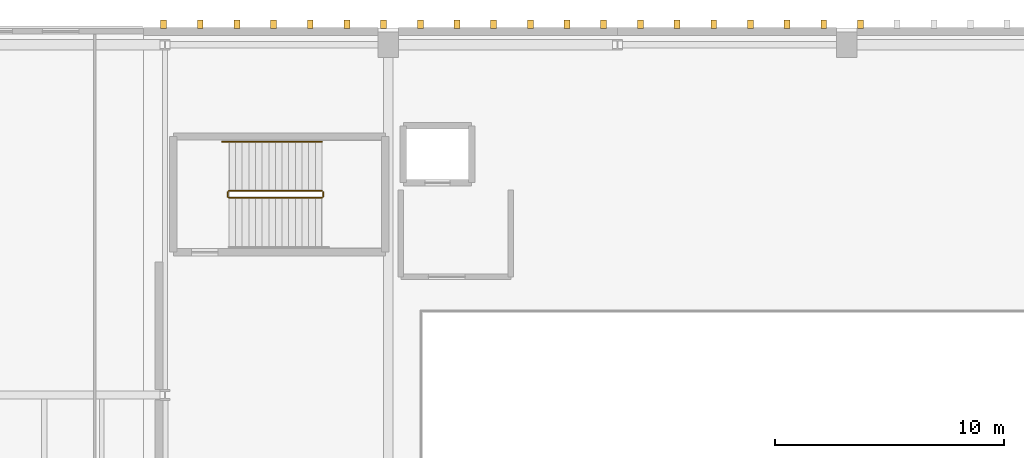
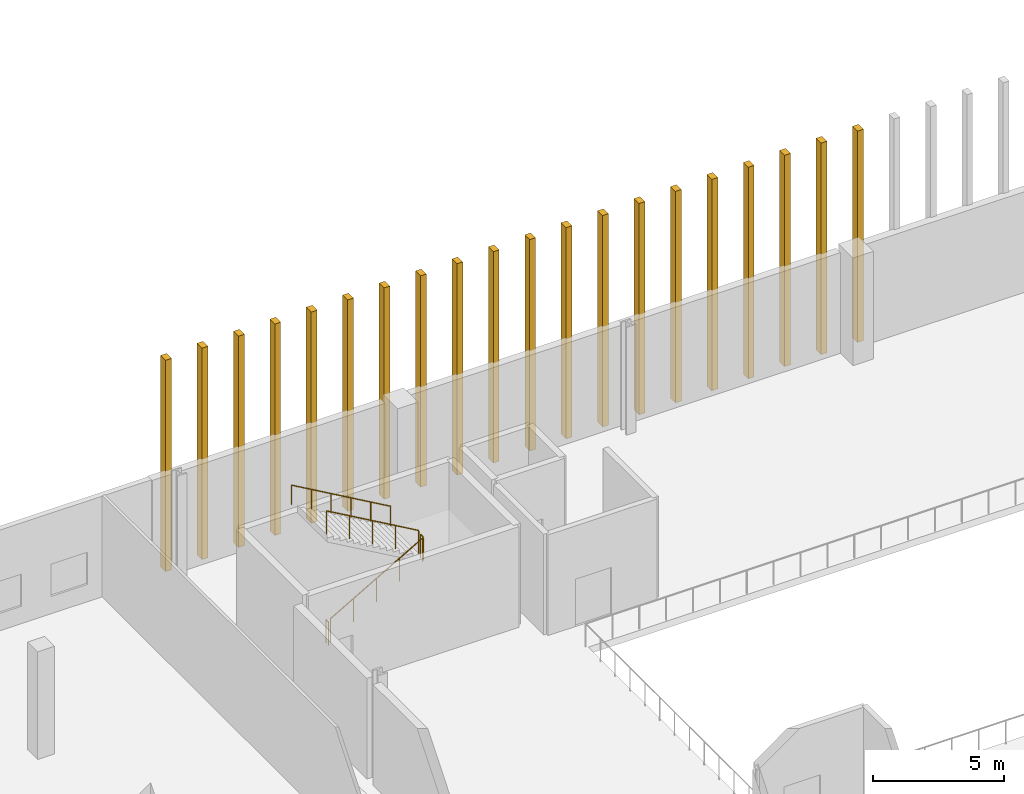
# One storey, part 57 of 60: 20 coverings, 5 railings.
"""IFC4 building model written with IfcOpenShell, lengths in metres."""

from ifc_helpers import new_model, si_unit, direction, frame, origin, origin_2d, place, context, subcontext, project, spatial, rectangle, circle, extrude, material, layer, layer_set, type_object, element, save


model = new_model("IFC4")

# Units and contexts
model_context = context("Model", 3, precision=1e-05, world=origin(), true_north=direction((0.0, 1.0)))
body_context = subcontext(model_context, "Body", "Model", "MODEL_VIEW")
ifc_project = project(units=[si_unit("LENGTHUNIT", "METRE"), si_unit("AREAUNIT", "SQUARE_METRE"), si_unit("VOLUMEUNIT", "CUBIC_METRE"), si_unit("PLANEANGLEUNIT", "RADIAN"), si_unit("MASSUNIT", "GRAM", prefix="KILO")], contexts=[model_context])

# Site, building, storey
site_placement = place(None, origin())
site = spatial("IfcSite", under=ifc_project, at=site_placement, CompositionType="ELEMENT")
building_placement = place(site_placement, origin())
building = spatial("IfcBuilding", under=site, at=building_placement, Name="Trimount Lyric Opera House", CompositionType="ELEMENT")
storey_placement = place(building_placement, frame((0.0, 0.0, 15.0)))
storey = spatial("IfcBuildingStorey", under=building, at=storey_placement, Name="L03", CompositionType="ELEMENT", Elevation=15.0)

# Coverings
ifc_material_1 = material(Name="Extruded Brushed Aluminium Vertical Shed Rib", Category="aluminium")
ifc_layer = layer(ifc_material_1, 0.260009765625)
ifc_layer_set = layer_set([ifc_layer], Name="CLD-RIB1")
covering_type = type_object("IfcCoveringType", Name="CLD-RIB1", PredefinedType="CLADDING", material=ifc_layer_set)
for number, where, z_axis, x_axis, name in (
    (1, (64.199951171875, 118.1650390625, 0.0), (0.0, 0.0, 1.0), (1.0, 0.0, 0.0), "Fly-tower north vertical cladding rib 124"),
    (2, (65.800048828125, 118.1650390625, 0.0), (0.0, 0.0, 1.0), (1.0, 0.0, 0.0), "Fly-tower north vertical cladding rib 129"),
    (3, (67.39990234375, 118.1650390625, 0.0), (0.0, 0.0, 1.0), (1.0, 0.0, 0.0), "Fly-tower north vertical cladding rib 134"),
    (4, (69.0, 118.1650390625, 0.0), (0.0, 0.0, 1.0), (1.0, 0.0, 0.0), "Fly-tower north vertical cladding rib 139"),
    (5, (70.60009765625, 118.1650390625, 0.0), (0.0, 0.0, 1.0), (1.0, 0.0, 0.0), "Fly-tower north vertical cladding rib 144"),
    (6, (72.199951171875, 118.1650390625, 0.0), (0.0, 0.0, 1.0), (1.0, 0.0, 0.0), "Fly-tower north vertical cladding rib 149"),
    (7, (73.800048828125, 118.1650390625, 0.0), (0.0, 0.0, 1.0), (1.0, 0.0, 0.0), "Fly-tower north vertical cladding rib 154"),
    (8, (75.39990234375, 118.1650390625, 0.0), (0.0, 0.0, 1.0), (1.0, 0.0, 0.0), "Fly-tower north vertical cladding rib 159"),
    (9, (77.0, 118.1650390625, 0.0), (0.0, 0.0, 1.0), (1.0, 0.0, 0.0), "Fly-tower north vertical cladding rib 164"),
    (10, (78.60009765625, 118.1650390625, 0.0), (0.0, 0.0, 1.0), (1.0, 0.0, 0.0), "Fly-tower north vertical cladding rib 169"),
    (11, (80.199951171875, 118.1650390625, 0.0), (0.0, 0.0, 1.0), (1.0, 0.0, 0.0), "Fly-tower north vertical cladding rib 174"),
    (12, (81.800048828125, 118.1650390625, 0.0), (0.0, 0.0, 1.0), (1.0, 0.0, 0.0), "Fly-tower north vertical cladding rib 179"),
    (13, (83.39990234375, 118.1650390625, 0.0), (0.0, 0.0, 1.0), (1.0, 0.0, 0.0), "Fly-tower north vertical cladding rib 184"),
    (14, (85.0, 118.1650390625, 0.0), (0.0, 0.0, 1.0), (1.0, 0.0, 0.0), "Fly-tower north vertical cladding rib 189"),
    (15, (86.60009765625, 118.1650390625, 0.0), (0.0, 0.0, 1.0), (1.0, 0.0, 0.0), "Fly-tower north vertical cladding rib 194"),
    (16, (88.199951171875, 118.1650390625, 0.0), (0.0, 0.0, 1.0), (1.0, 0.0, 0.0), "Fly-tower north vertical cladding rib 199"),
    (17, (89.800048828125, 118.1650390625, 0.0), (0.0, 0.0, 1.0), (1.0, 0.0, 0.0), "Fly-tower north vertical cladding rib 204"),
    (18, (91.39990234375, 118.1650390625, 0.0), (0.0, 0.0, 1.0), (1.0, 0.0, 0.0), "Fly-tower north vertical cladding rib 209"),
    (19, (93.0, 118.1650390625, 0.0), (0.0, 0.0, 1.0), (1.0, 0.0, 0.0), "Fly-tower north vertical cladding rib 214"),
    (20, (94.60009765625, 118.1650390625, 0.0), (0.0, 0.0, 1.0), (1.0, 0.0, 0.0), "Fly-tower north vertical cladding rib 219"),
):
    element("IfcCovering", number, at=place(storey_placement, frame(where, z_axis=z_axis, x_axis=x_axis)), inside=storey, type_object=covering_type, Name=name, PredefinedType="CLADDING", context=body_context, shape_type="SweptSolid", body=[
        extrude(rectangle(XDim=0.260009765625, YDim=0.3798828125, at=origin_2d()), origin(), (0.0, 0.0, 1.0), 9.820068359375),
    ])

# Railings
ifc_material_2 = material(Name="Brushed Stainless Steel 316", Category="steel")
railing_type_1 = type_object("IfcRailingType", Name="RL-GRD110", PredefinedType="GUARDRAIL", material=ifc_material_2)
railing_1_placement = place(storey_placement, frame((67.050048828125, 110.60009765625, 0.166748046875)))
element("IfcRailing", 21, at=railing_1_placement, inside=storey, type_object=railing_type_1, Name="L03 ST-01 stair guard 1", PredefinedType="GUARDRAIL", context=body_context, shape_type="SweptSolid", body=[
    extrude(circle(Radius=0.02392578125, at=origin_2d()), frame((0.0, 0.0, 1.076171875), z_axis=(0.867024558463, 0.0, 0.498265406207), x_axis=(0.0, 1.0, 0.0)), (0.0, 0.0, 1.0), 4.682861328125),
    extrude(circle(Radius=0.02099609375, at=origin_2d()), origin(), (0.0, 0.0, 1.0), 1.052001953125),
    extrude(circle(Radius=0.02099609375, at=origin_2d()), frame((1.01513671875, 0.0, 0.583251953125)), (0.0, 0.0, 1.0), 1.052001953125),
    extrude(circle(Radius=0.02099609375, at=origin_2d()), frame((2.030029296875, 0.0, 1.16650390625)), (0.0, 0.0, 1.0), 1.052001953125),
    extrude(circle(Radius=0.02099609375, at=origin_2d()), frame((3.044921875, 0.0, 1.75)), (0.0, 0.0, 1.0), 1.052001953125),
    extrude(circle(Radius=0.02099609375, at=origin_2d()), frame((4.06005859375, 0.0, 2.333251953125)), (0.0, 0.0, 1.0), 1.052001953125),
])
railing_2_placement = place(storey_placement, frame((71.159912109375, 110.64990234375, 2.5)))
element("IfcRailing", 22, at=railing_2_placement, inside=storey, type_object=railing_type_1, Name="L03 ST-01 stair guard 2", PredefinedType="GUARDRAIL", context=body_context, shape_type="SweptSolid", body=[
    extrude(circle(Radius=0.02392578125, at=origin_2d()), frame((0.0, 0.0, 1.076171875), z_axis=(0.0, 1.0, 0.0), x_axis=(-1.0, 0.0, 0.0)), (0.0, 0.0, 1.0), 0.2001953125),
    extrude(circle(Radius=0.02099609375, at=origin_2d()), origin(), (0.0, 0.0, 1.0), 1.052001953125),
    extrude(circle(Radius=0.02099609375, at=origin_2d()), frame((0.0, 0.2001953125, 0.0)), (0.0, 0.0, 1.0), 1.052001953125),
])
railing_3_placement = place(storey_placement, frame((71.110107421875, 110.89990234375, 2.666748046875)))
element("IfcRailing", 23, at=railing_3_placement, inside=storey, type_object=railing_type_1, Name="L03 ST-01 stair guard 3", PredefinedType="GUARDRAIL", context=body_context, shape_type="SweptSolid", body=[
    extrude(circle(Radius=0.02392578125, at=origin_2d()), frame((0.0, 0.0, 1.076171875), z_axis=(-0.867024558463, 0.0, 0.498265406207), x_axis=(0.0, -1.0, 0.0)), (0.0, 0.0, 1.0), 4.682861328125),
    extrude(circle(Radius=0.02099609375, at=origin_2d()), origin(), (0.0, 0.0, 1.0), 1.052001953125),
    extrude(circle(Radius=0.02099609375, at=origin_2d()), frame((-1.01513671875, 0.0, 0.583251953125)), (0.0, 0.0, 1.0), 1.052001953125),
    extrude(circle(Radius=0.02099609375, at=origin_2d()), frame((-2.030029296875, 0.0, 1.16650390625)), (0.0, 0.0, 1.0), 1.052001953125),
    extrude(circle(Radius=0.02099609375, at=origin_2d()), frame((-3.044921875, 0.0, 1.75)), (0.0, 0.0, 1.0), 1.052001953125),
    extrude(circle(Radius=0.02099609375, at=origin_2d()), frame((-4.06005859375, 0.0, 2.333251953125)), (0.0, 0.0, 1.0), 1.052001953125),
])
railing_4_placement = place(storey_placement, frame((67.0, 110.64990234375, 0.0)))
element("IfcRailing", 24, at=railing_4_placement, inside=storey, type_object=railing_type_1, Name="L03 ST-01 stair guard 4", PredefinedType="GUARDRAIL", context=body_context, shape_type="SweptSolid", body=[
    extrude(circle(Radius=0.02392578125, at=origin_2d()), frame((0.0, 0.0, 1.076171875), z_axis=(0.0, 1.0, 0.0), x_axis=(-1.0, 0.0, 0.0)), (0.0, 0.0, 1.0), 0.2001953125),
    extrude(circle(Radius=0.02099609375, at=origin_2d()), origin(), (0.0, 0.0, 1.0), 1.052001953125),
    extrude(circle(Radius=0.02099609375, at=origin_2d()), frame((0.0, 0.2001953125, 0.0)), (0.0, 0.0, 1.0), 1.052001953125),
])
ifc_material_3 = material(Name="Brushed Stainless Steel 316", Category="steel")
railing_type_2 = type_object("IfcRailingType", Name="RL-HND092", PredefinedType="HANDRAIL", material=ifc_material_3)
railing_5_placement = place(storey_placement, frame((71.110107421875, 113.050048828125, 2.666748046875)))
element("IfcRailing", 25, at=railing_5_placement, inside=storey, type_object=railing_type_2, Name="L03 ST-01 stair handrail 2", PredefinedType="HANDRAIL", context=body_context, shape_type="SweptSolid", body=[
    extrude(circle(Radius=0.0224609375, at=origin_2d()), frame((0.0, 0.0, 0.8974609375), z_axis=(-0.866766478692, 0.0, 0.498714218181), x_axis=(0.0, -1.0, 0.0)), (0.0, 0.0, 1.0), 5.018798828125),
    extrude(circle(Radius=0.02099609375, at=origin_2d()), origin(), (0.0, 0.0, 1.0), 0.875),
    extrude(circle(Radius=0.02099609375, at=origin_2d()), frame((-0.8701171875, 0.0, 0.50048828125)), (0.0, 0.0, 1.0), 0.875),
    extrude(circle(Radius=0.02099609375, at=origin_2d()), frame((-1.739990234375, 0.0, 1.001220703125)), (0.0, 0.0, 1.0), 0.875),
    extrude(circle(Radius=0.02099609375, at=origin_2d()), frame((-2.610107421875, 0.0, 1.501708984375)), (0.0, 0.0, 1.0), 0.875),
    extrude(circle(Radius=0.02099609375, at=origin_2d()), frame((-3.47998046875, 0.0, 2.00244140625)), (0.0, 0.0, 1.0), 0.875),
    extrude(circle(Radius=0.02099609375, at=origin_2d()), frame((-4.35009765625, 0.0, 2.5029296875)), (0.0, 0.0, 1.0), 0.875),
])

save(model, "model.ifc")
